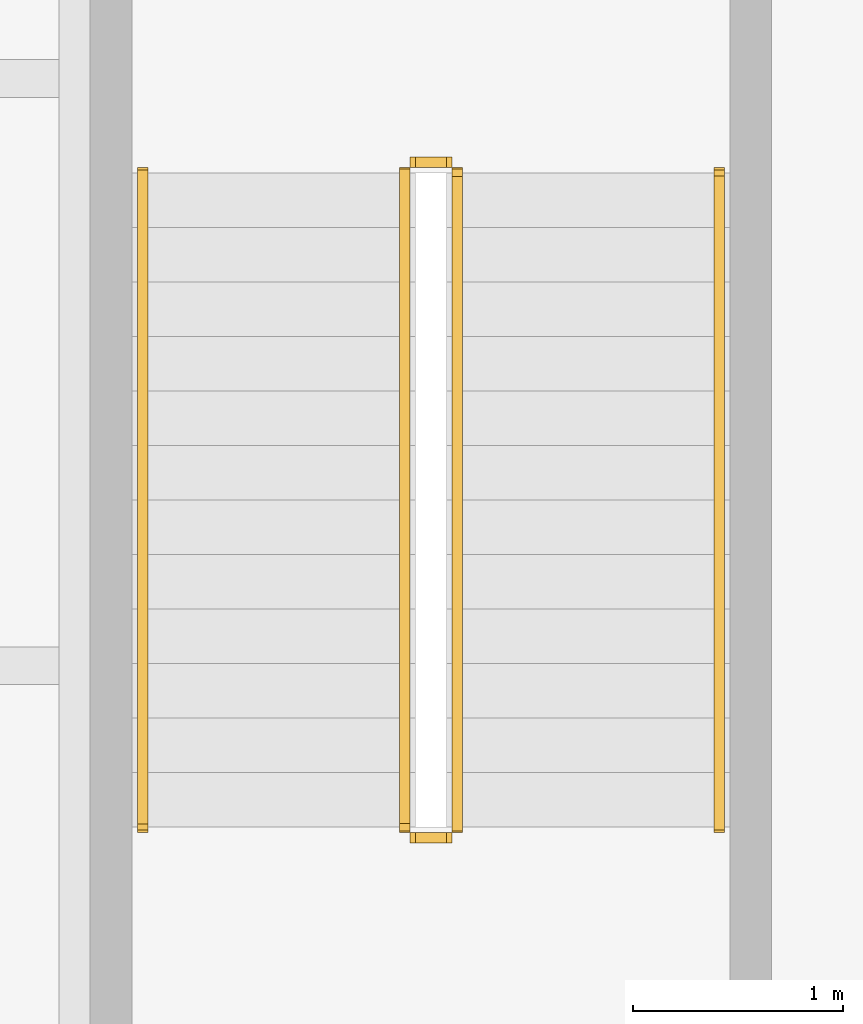
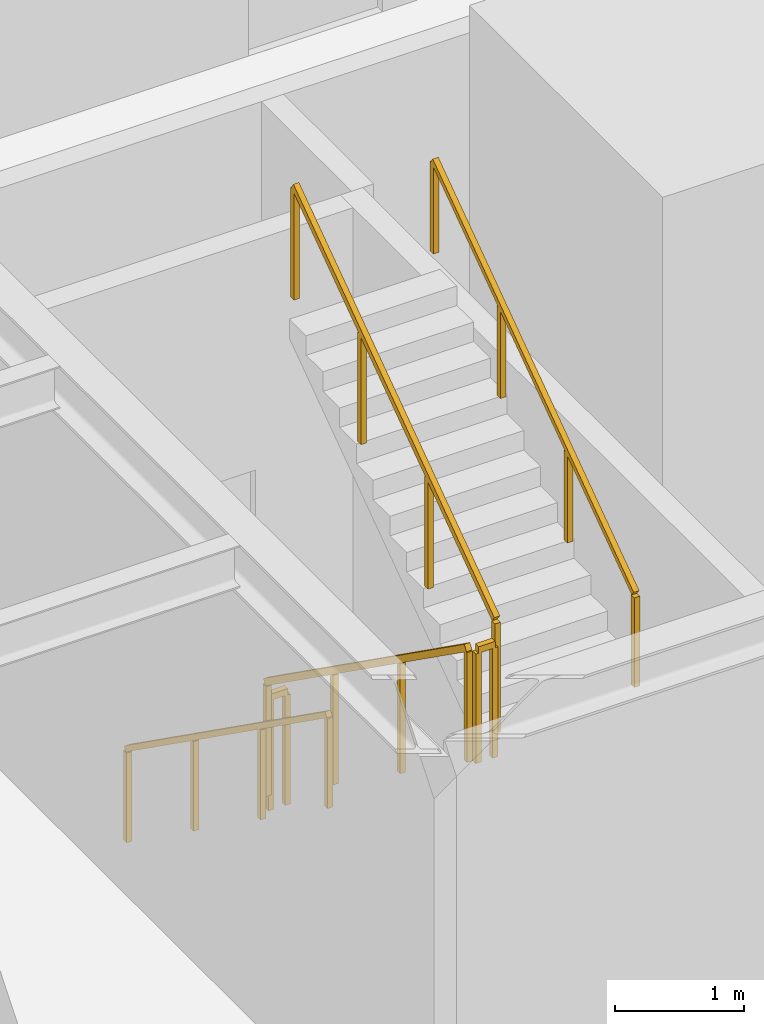
# One storey, part 24 of 32: 6 railings.
"""IFC4 building model written with IfcOpenShell, lengths in metres."""

from ifc_helpers import new_model, si_unit, direction, frame, origin, origin_2d, place, context, subcontext, project, spatial, rectangle, extrude, material, type_object, element, save


model = new_model("IFC4")

# Units and contexts
model_context = context("Model", 3, precision=1e-05, world=origin(), true_north=direction((0.0, 1.0)))
body_context = subcontext(model_context, "Body", "Model", "MODEL_VIEW")
ifc_project = project(units=[si_unit("LENGTHUNIT", "METRE"), si_unit("AREAUNIT", "SQUARE_METRE"), si_unit("VOLUMEUNIT", "CUBIC_METRE"), si_unit("PLANEANGLEUNIT", "RADIAN"), si_unit("MASSUNIT", "GRAM", prefix="KILO")], contexts=[model_context])

# Site, building, storey
site_placement = place(None, origin())
site = spatial("IfcSite", under=ifc_project, at=site_placement, CompositionType="ELEMENT")
building_placement = place(site_placement, origin())
building = spatial("IfcBuilding", under=site, at=building_placement, Name="Khepri Terraces", CompositionType="ELEMENT")
storey_placement = place(building_placement, frame((0.0, 0.0, 12.0)))
storey = spatial("IfcBuildingStorey", under=building, at=storey_placement, Name="L02", CompositionType="ELEMENT", Elevation=12.0)

# Railings
ifc_material = material(Name="Stainless steel 316", Category="steel")
railing_type_1 = type_object("IfcRailingType", Name="RL-POD-GUARD", PredefinedType="GUARDRAIL", material=ifc_material)
railing_1_placement = place(storey_placement, frame((-23.699951171875, -20.050048828125, 0.1845703125)))
element("IfcRailing", 1, at=railing_1_placement, inside=storey, type_object=railing_type_1, Name="L02 PS-4 stair guard 1", PredefinedType="GUARDRAIL", context=body_context, shape_type="SweptSolid", body=[
    extrude(rectangle(XDim=0.050048828125, YDim=0.06005859375, at=origin_2d()), frame((0.0, 0.0, 1.070068359375), z_axis=(0.0, -0.815355575968, 0.57896052088), x_axis=(1.0, 0.0, 0.0)), (0.0, 0.0, 1.0), 3.826416015625),
    extrude(rectangle(XDim=0.050048828125, YDim=0.050048828125, at=origin_2d()), origin(), (0.0, 0.0, 1.0), 1.0400390625),
    extrude(rectangle(XDim=0.050048828125, YDim=0.050048828125, at=origin_2d()), frame((0.0, -1.0400390625, 0.738525390625)), (0.0, 0.0, 1.0), 1.0400390625),
    extrude(rectangle(XDim=0.050048828125, YDim=0.050048828125, at=origin_2d()), frame((0.0, -2.079833984375, 1.476806640625)), (0.0, 0.0, 1.0), 1.0400390625),
    extrude(rectangle(XDim=0.050048828125, YDim=0.050048828125, at=origin_2d()), frame((0.0, -3.119873046875, 2.21533203125)), (0.0, 0.0, 1.0), 1.0400390625),
])
railing_2_placement = place(storey_placement, frame((-23.64990234375, -23.219970703125, 2.39990234375)))
element("IfcRailing", 2, at=railing_2_placement, inside=storey, type_object=railing_type_1, Name="L02 PS-4 stair guard 2", PredefinedType="GUARDRAIL", context=body_context, shape_type="SweptSolid", body=[
    extrude(rectangle(XDim=0.050048828125, YDim=0.06005859375, at=origin_2d()), frame((0.0, 0.0, 1.070068359375), z_axis=(1.0, 0.0, 0.0), x_axis=(0.0, 1.0, 0.0)), (0.0, 0.0, 1.0), 0.14990234375),
    extrude(rectangle(XDim=0.050048828125, YDim=0.050048828125, at=origin_2d()), origin(), (0.0, 0.0, 1.0), 1.0400390625),
    extrude(rectangle(XDim=0.050048828125, YDim=0.050048828125, at=origin_2d()), frame((0.14990234375, 0.0, 0.0)), (0.0, 0.0, 1.0), 1.0400390625),
])
railing_3_placement = place(storey_placement, frame((-23.449951171875, -23.169921875, 2.584716796875)))
element("IfcRailing", 3, at=railing_3_placement, inside=storey, type_object=railing_type_1, Name="L02 PS-4 stair guard 3", PredefinedType="GUARDRAIL", context=body_context, shape_type="SweptSolid", body=[
    extrude(rectangle(XDim=0.050048828125, YDim=0.06005859375, at=origin_2d()), frame((0.0, 0.0, 1.070068359375), z_axis=(0.0, 0.815355575968, 0.57896052088), x_axis=(-1.0, 0.0, 0.0)), (0.0, 0.0, 1.0), 3.826416015625),
    extrude(rectangle(XDim=0.050048828125, YDim=0.050048828125, at=origin_2d()), origin(), (0.0, 0.0, 1.0), 1.0400390625),
    extrude(rectangle(XDim=0.050048828125, YDim=0.050048828125, at=origin_2d()), frame((0.0, 1.0400390625, 0.738525390625)), (0.0, 0.0, 1.0), 1.0400390625),
    extrude(rectangle(XDim=0.050048828125, YDim=0.050048828125, at=origin_2d()), frame((0.0, 2.079833984375, 1.476806640625)), (0.0, 0.0, 1.0), 1.0400390625),
    extrude(rectangle(XDim=0.050048828125, YDim=0.050048828125, at=origin_2d()), frame((0.0, 3.119873046875, 2.21533203125)), (0.0, 0.0, 1.0), 1.0400390625),
])
railing_4_placement = place(storey_placement, frame((-23.64990234375, -20.0, 0.0)))
element("IfcRailing", 4, at=railing_4_placement, inside=storey, type_object=railing_type_1, Name="L02 PS-4 stair guard 4", PredefinedType="GUARDRAIL", context=body_context, shape_type="SweptSolid", body=[
    extrude(rectangle(XDim=0.050048828125, YDim=0.06005859375, at=origin_2d()), frame((0.0, 0.0, 1.070068359375), z_axis=(1.0, 0.0, 0.0), x_axis=(0.0, 1.0, 0.0)), (0.0, 0.0, 1.0), 0.14990234375),
    extrude(rectangle(XDim=0.050048828125, YDim=0.050048828125, at=origin_2d()), origin(), (0.0, 0.0, 1.0), 1.0400390625),
    extrude(rectangle(XDim=0.050048828125, YDim=0.050048828125, at=origin_2d()), frame((0.14990234375, 0.0, 0.0)), (0.0, 0.0, 1.0), 1.0400390625),
])
railing_type_2 = type_object("IfcRailingType", Name="RL-POD-HANDRAIL", PredefinedType="HANDRAIL", material=ifc_material)
railing_5_placement = place(storey_placement, frame((-24.949951171875, -20.050048828125, 0.1845703125)))
element("IfcRailing", 5, at=railing_5_placement, inside=storey, type_object=railing_type_2, Name="L02 PS-4 stair handrail 1", PredefinedType="HANDRAIL", context=body_context, shape_type="SweptSolid", body=[
    extrude(rectangle(XDim=0.050048828125, YDim=0.050048828125, at=origin_2d()), frame((0.0, 0.0, 0.875), z_axis=(0.0, -0.815355575968, 0.57896052088), x_axis=(1.0, 0.0, 0.0)), (0.0, 0.0, 1.0), 3.826416015625),
    extrude(rectangle(XDim=0.050048828125, YDim=0.050048828125, at=origin_2d()), origin(), (0.0, 0.0, 1.0), 0.849853515625),
    extrude(rectangle(XDim=0.050048828125, YDim=0.050048828125, at=origin_2d()), frame((0.0, -1.0400390625, 0.738525390625)), (0.0, 0.0, 1.0), 0.849853515625),
    extrude(rectangle(XDim=0.050048828125, YDim=0.050048828125, at=origin_2d()), frame((0.0, -2.079833984375, 1.476806640625)), (0.0, 0.0, 1.0), 0.849853515625),
    extrude(rectangle(XDim=0.050048828125, YDim=0.050048828125, at=origin_2d()), frame((0.0, -3.119873046875, 2.21533203125)), (0.0, 0.0, 1.0), 0.849853515625),
])
railing_6_placement = place(storey_placement, frame((-22.199951171875, -23.169921875, 2.584716796875)))
element("IfcRailing", 6, at=railing_6_placement, inside=storey, type_object=railing_type_2, Name="L02 PS-4 stair handrail 2", PredefinedType="HANDRAIL", context=body_context, shape_type="SweptSolid", body=[
    extrude(rectangle(XDim=0.050048828125, YDim=0.050048828125, at=origin_2d()), frame((0.0, 0.0, 0.875), z_axis=(0.0, 0.815355575968, 0.57896052088), x_axis=(-1.0, 0.0, 0.0)), (0.0, 0.0, 1.0), 3.826416015625),
    extrude(rectangle(XDim=0.050048828125, YDim=0.050048828125, at=origin_2d()), origin(), (0.0, 0.0, 1.0), 0.849853515625),
    extrude(rectangle(XDim=0.050048828125, YDim=0.050048828125, at=origin_2d()), frame((0.0, 1.0400390625, 0.738525390625)), (0.0, 0.0, 1.0), 0.849853515625),
    extrude(rectangle(XDim=0.050048828125, YDim=0.050048828125, at=origin_2d()), frame((0.0, 2.079833984375, 1.476806640625)), (0.0, 0.0, 1.0), 0.849853515625),
    extrude(rectangle(XDim=0.050048828125, YDim=0.050048828125, at=origin_2d()), frame((0.0, 3.119873046875, 2.21533203125)), (0.0, 0.0, 1.0), 0.849853515625),
])

save(model, "model.ifc")
